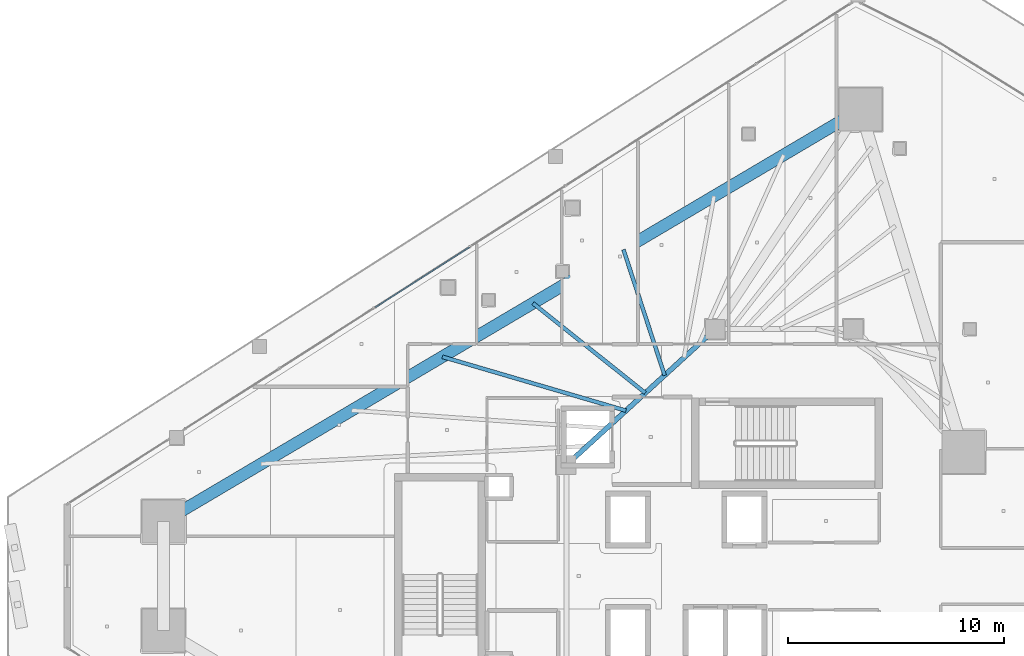
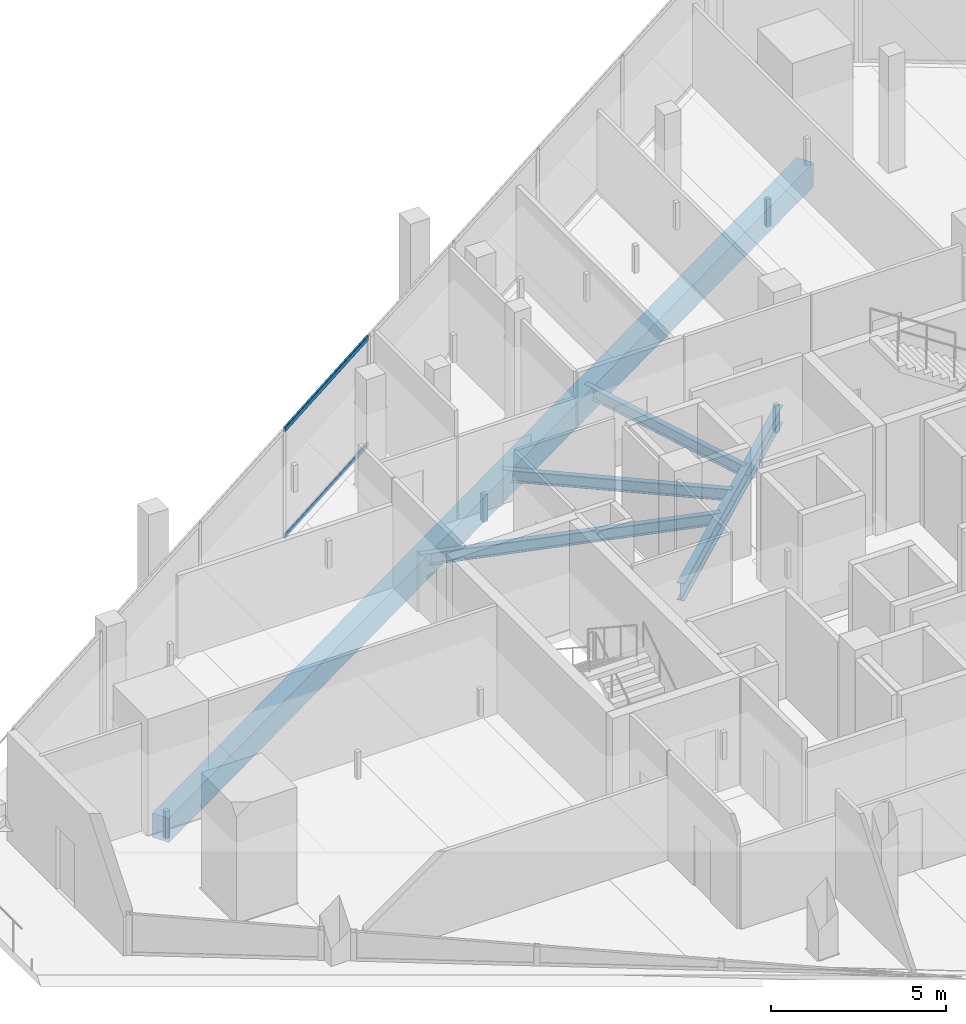
# One storey, part 16 of 33: 5 beams, 2 members, 1 element without a shape of its own.
"""IFC4 building model written with IfcOpenShell, lengths in metres."""

from ifc_helpers import new_model, si_unit, direction, frame, origin, origin_2d, place, context, subcontext, project, spatial, rectangle, hollow_rectangle, i_section, extrude, material, layer, layer_set, material_profile, profile_set, type_object, element, aggregate, save


model = new_model("IFC4")

# Units and contexts
model_context = context("Model", 3, precision=1e-05, world=origin(), true_north=direction((0.0, 1.0)))
body_context = subcontext(model_context, "Body", "Model", "MODEL_VIEW")
ifc_project = project(units=[si_unit("LENGTHUNIT", "METRE"), si_unit("AREAUNIT", "SQUARE_METRE"), si_unit("VOLUMEUNIT", "CUBIC_METRE"), si_unit("PLANEANGLEUNIT", "RADIAN"), si_unit("MASSUNIT", "GRAM", prefix="KILO")], contexts=[model_context])

# Site, building, storey
site_placement = place(None, origin())
site = spatial("IfcSite", under=ifc_project, at=site_placement, CompositionType="ELEMENT")
building_placement = place(site_placement, origin())
building = spatial("IfcBuilding", under=site, at=building_placement, Name="Qorvath Tower", CompositionType="ELEMENT")
storey_placement = place(building_placement, frame((0.0, 0.0, 209.10009765625)))
storey = spatial("IfcBuildingStorey", under=building, at=storey_placement, Name="L48", CompositionType="ELEMENT", Elevation=209.10009765625)

# Beams
ifc_material_1 = material(Name="Steel ASTM A992 Grade 50", Category="steel")
ifc_material_profile_1 = material_profile(ifc_material_1, i_section(OverallWidth=0.22998046875, OverallDepth=0.616943359375, WebThickness=0.01318359375, FlangeThickness=0.022216796875, FilletRadius=0.014892578125, at=origin_2d()), Name="W24x94")
ifc_profile_set_1 = profile_set([ifc_material_profile_1], Name="Steel ASTM A992 Grade 50")
beam_type_1 = type_object("IfcBeamType", Name="BM-FG6", PredefinedType="BEAM", material=ifc_profile_set_1)
beam_1_placement = place(storey_placement, frame((-30.5, 5.14990234375, -0.57861328125), z_axis=(0.73847813985, 0.6742774184, 0.0), x_axis=(-0.6742774184, 0.73847813985, 0.0)))
element("IfcBeam", 1, at=beam_1_placement, inside=storey, type_object=beam_type_1, Name="Core Ring Girder CC5-CC1 L48", PredefinedType="BEAM", context=body_context, shape_type="SweptSolid", body=[
    extrude(i_section(OverallWidth=0.22998046875, OverallDepth=0.616943359375, WebThickness=0.01318359375, FlangeThickness=0.022216796875, FilletRadius=0.014892578125, at=origin_2d()), origin(), (0.0, 0.0, 1.0), 9.343505859375),
])
ifc_material_2 = material(Name="Steel ASTM A992 Grade 50", Category="steel")
ifc_material_profile_2 = material_profile(ifc_material_2, i_section(OverallWidth=0.177978515625, OverallDepth=0.406005859375, WebThickness=0.0078125, FlangeThickness=0.0126953125, FilletRadius=0.010986328125, at=origin_2d()), Name="W16x40")
ifc_profile_set_2 = profile_set([ifc_material_profile_2], Name="Steel ASTM A992 Grade 50")
beam_type_2 = type_object("IfcBeamType", Name="BM-FJ3", PredefinedType="JOIST", material=ifc_profile_set_2)
beam_2_placement = place(storey_placement, frame((-27.739990234375, 7.669921875, -0.472900390625), z_axis=(-0.959544992264, 0.281555337049, 0.0), x_axis=(-0.281555337049, -0.959544992264, 0.0)))
element("IfcBeam", 2, at=beam_2_placement, inside=storey, type_object=beam_type_2, Name="Composite Floor Joist NW3 L48", PredefinedType="JOIST", context=body_context, shape_type="SweptSolid", body=[
    extrude(i_section(OverallWidth=0.177978515625, OverallDepth=0.406005859375, WebThickness=0.0078125, FlangeThickness=0.0126953125, FilletRadius=0.010986328125, at=origin_2d()), origin(), (0.0, 0.0, 1.0), 8.87060546875),
])
beam_3_placement = place(storey_placement, frame((-26.843017578125, 8.489013671875, -0.472900390625), z_axis=(-0.781336553339, 0.624109918537, 0.0), x_axis=(-0.624109918537, -0.781336553339, 0.0)))
element("IfcBeam", 3, at=beam_3_placement, inside=storey, type_object=beam_type_2, Name="Composite Floor Joist NW4 L48", PredefinedType="JOIST", context=body_context, shape_type="SweptSolid", body=[
    extrude(i_section(OverallWidth=0.177978515625, OverallDepth=0.406005859375, WebThickness=0.0078125, FlangeThickness=0.0126953125, FilletRadius=0.010986328125, at=origin_2d()), origin(), (0.0, 0.0, 1.0), 6.667724609375),
])
beam_4_placement = place(storey_placement, frame((-25.946044921875, 9.30810546875, -0.472900390625), z_axis=(-0.311228747452, 0.950335028692, 0.0), x_axis=(-0.950335028692, -0.311228747452, 0.0)))
element("IfcBeam", 4, at=beam_4_placement, inside=storey, type_object=beam_type_2, Name="Composite Floor Joist NW5 L48", PredefinedType="JOIST", context=body_context, shape_type="SweptSolid", body=[
    extrude(i_section(OverallWidth=0.177978515625, OverallDepth=0.406005859375, WebThickness=0.0078125, FlangeThickness=0.0126953125, FilletRadius=0.010986328125, at=origin_2d()), origin(), (0.0, 0.0, 1.0), 6.129638671875),
])
ifc_material_3 = material(Name="Concrete C50/60", Category="concrete")
ifc_material_profile_3 = material_profile(ifc_material_3, rectangle(XDim=0.550048828125, YDim=0.85009765625, at=origin_2d()), Name="RCB 850x550")
ifc_profile_set_3 = profile_set([ifc_material_profile_3], Name="Concrete C50/60")
beam_type_3 = type_object("IfcBeamType", Name="BM-RCB2", PredefinedType="SPANDREL", material=ifc_profile_set_3)
beam_5_placement = place(storey_placement, frame((-16.87158203125, 21.627197265625, -0.695068359375), z_axis=(-0.860776759786, -0.50898268125, 0.0), x_axis=(0.50898268125, -0.860776759786, 0.0)))
element("IfcBeam", 5, at=beam_5_placement, inside=storey, type_object=beam_type_3, Name="Perimeter Loggia Frame Beam MC6-MC1 L48", PredefinedType="SPANDREL", context=body_context, shape_type="SweptSolid", body=[
    extrude(rectangle(XDim=0.550048828125, YDim=0.85009765625, at=origin_2d()), origin(), (0.0, 0.0, 1.0), 37.524658203125),
])

# Curtain wall, members
ifc_material_4 = material(Name="Anodised aluminium and triple low-E glass", Category="aluminium")
ifc_layer = layer(ifc_material_4, 0.179931640625)
ifc_layer_set = layer_set([ifc_layer], Name="CW-SYS-3")
curtain_wall_type = type_object("IfcCurtainWallType", Name="CW-SYS-3", PredefinedType="NOTDEFINED", material=ifc_layer_set)
curtain_wall_placement = place(storey_placement, origin())
curtain_wall = element("IfcCurtainWall", 6, at=curtain_wall_placement, inside=storey, type_object=curtain_wall_type, Name="Curtain Wall CW-3 CW-T-L48-16.1", PredefinedType="NOTDEFINED")
ifc_material_5 = material(Name="Anodised aluminium 6063-T6", Category="aluminium")
ifc_material_profile_4 = material_profile(ifc_material_5, hollow_rectangle(XDim=0.06494140625, YDim=0.159912109375, WallThickness=0.00341796875, InnerFilletRadius=0.00341796875, OuterFilletRadius=0.007080078125, at=origin_2d()), Name="CWT 160x65")
ifc_profile_set_4 = profile_set([ifc_material_profile_4], Name="Anodised aluminium 6063-T6")
member_type = type_object("IfcMemberType", Name="CWT-160", PredefinedType="USERDEFINED", material=ifc_profile_set_4)
member_1_placement = place(storey_placement, frame((-34.993896484375, 15.24755859375, 0.032470703125), z_axis=(-0.84262316261, -0.538503672999, 0.0), x_axis=(0.538503672999, -0.84262316261, 0.0)))
member_1 = element("IfcMember", 7, at=member_1_placement, type_object=member_type, Name="CW-3 transom 5.1", ObjectType="TRANSOM", PredefinedType="USERDEFINED", context=body_context, shape_type="SweptSolid", body=[
    extrude(hollow_rectangle(XDim=0.06494140625, YDim=0.159912109375, WallThickness=0.00341796875, InnerFilletRadius=0.00341796875, OuterFilletRadius=0.007080078125, at=origin_2d()), origin(), (0.0, 0.0, 1.0), 5.177978515625),
])
member_2_placement = place(storey_placement, frame((-34.993896484375, 15.24755859375, 3.747314453125), z_axis=(-0.84262316261, -0.538503672999, 0.0), x_axis=(0.538503672999, -0.84262316261, 0.0)))
member_2 = element("IfcMember", 8, at=member_2_placement, type_object=member_type, Name="CW-3 transom 5.2", ObjectType="TRANSOM", PredefinedType="USERDEFINED", context=body_context, shape_type="SweptSolid", body=[
    extrude(hollow_rectangle(XDim=0.06494140625, YDim=0.159912109375, WallThickness=0.00341796875, InnerFilletRadius=0.00341796875, OuterFilletRadius=0.007080078125, at=origin_2d()), origin(), (0.0, 0.0, 1.0), 5.177978515625),
])
aggregate(curtain_wall, [member_1, member_2])

save(model, "model.ifc")
